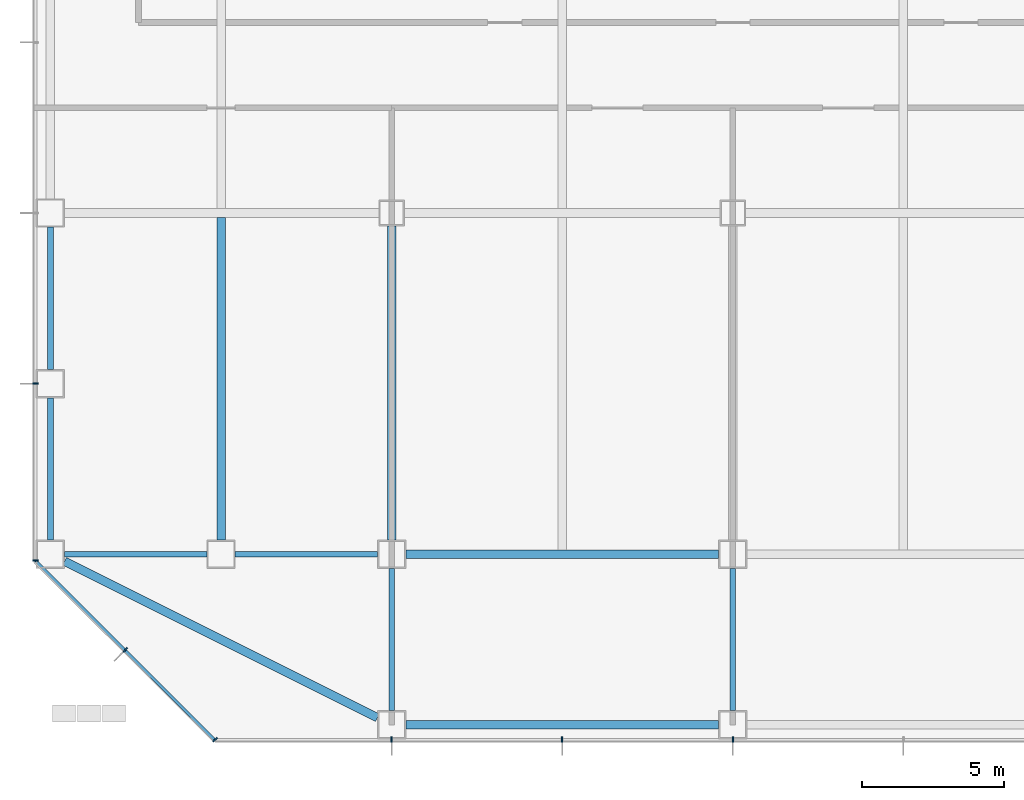
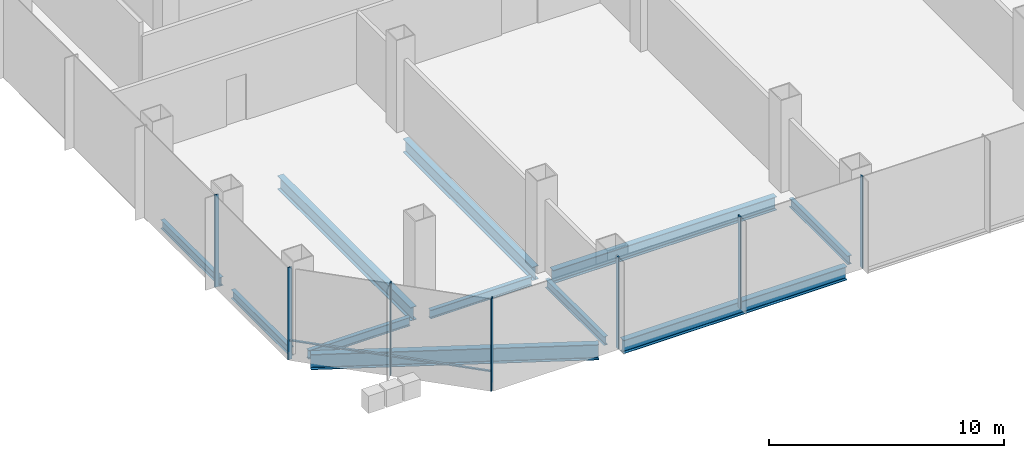
# One storey, part 2 of 33: 11 beams, 8 members, 3 elements without a shape of their own.
"""IFC4 building model written with IfcOpenShell, lengths in metres."""

from ifc_helpers import new_model, si_unit, direction, frame, origin, origin_2d, place, context, subcontext, project, spatial, rectangle, i_section, extrude, material, material_profile, profile_set, type_object, element, aggregate, save


model = new_model("IFC4")

# Units and contexts
model_context = context("Model", 3, precision=1e-05, world=origin(), true_north=direction((0.0, 1.0)))
body_context = subcontext(model_context, "Body", "Model", "MODEL_VIEW")
ifc_project = project(units=[si_unit("LENGTHUNIT", "METRE"), si_unit("AREAUNIT", "SQUARE_METRE"), si_unit("VOLUMEUNIT", "CUBIC_METRE"), si_unit("PLANEANGLEUNIT", "RADIAN"), si_unit("MASSUNIT", "GRAM", prefix="KILO")], contexts=[model_context])

# Site, building, storey
site_placement = place(None, origin())
site = spatial("IfcSite", under=ifc_project, at=site_placement, CompositionType="ELEMENT")
building_placement = place(site_placement, origin())
building = spatial("IfcBuilding", under=site, at=building_placement, Name="Sorahane Residences", CompositionType="ELEMENT")
storey_placement = place(building_placement, frame((0.0, 0.0, 34.800048828125)))
storey = spatial("IfcBuildingStorey", under=building, at=storey_placement, Name="L05", CompositionType="ELEMENT", Elevation=34.800048828125)

# Curtain wall, members
ifc_material_1 = material(Name="Dark low-e glass and black anodised aluminium", Category="aluminium")
curtain_wall_type = type_object("IfcCurtainWallType", Name="Curtain wall CW-3 Podium unitised wall", PredefinedType="NOTDEFINED", material=ifc_material_1)
curtain_wall_1_placement = place(storey_placement, origin())
curtain_wall_1 = element("IfcCurtainWall", 1, at=curtain_wall_1_placement, inside=storey, type_object=curtain_wall_type, Name="CW-3 curtain wall L05 S1", PredefinedType="NOTDEFINED")
ifc_material_2 = material(Name="Black anodised aluminium", Category="aluminium")
ifc_material_profile_1 = material_profile(ifc_material_2, rectangle(XDim=0.199951171875, YDim=0.050048828125, at=origin_2d()), Name="Curtain wall mullion CW-3 black anodised aluminium 50x200")
ifc_profile_set_1 = profile_set([ifc_material_profile_1], Name="Black anodised aluminium")
member_type_1 = type_object("IfcMemberType", Name="Curtain wall mullion CW-3 black anodised aluminium 50x200", PredefinedType="MULLION", material=ifc_profile_set_1)
member_1_placement = place(storey_placement, frame((12.0, -6.52001953125, -0.400146484375), z_axis=(0.0, 0.0, 1.0), x_axis=(0.0, -1.0, 0.0)))
member_1 = element("IfcMember", 2, at=member_1_placement, type_object=member_type_1, Name="CW-3 mullion L05 S1.2", PredefinedType="MULLION", context=body_context, shape_type="SweptSolid", body=[
    extrude(rectangle(XDim=0.199951171875, YDim=0.050048828125, at=origin_2d()), origin(), (0.0, 0.0, 1.0), 4.800048828125),
])
member_2_placement = place(storey_placement, frame((18.0, -6.52001953125, -0.400146484375), z_axis=(0.0, 0.0, 1.0), x_axis=(0.0, -1.0, 0.0)))
member_2 = element("IfcMember", 3, at=member_2_placement, type_object=member_type_1, Name="CW-3 mullion L05 S1.3", PredefinedType="MULLION", context=body_context, shape_type="SweptSolid", body=[
    extrude(rectangle(XDim=0.199951171875, YDim=0.050048828125, at=origin_2d()), origin(), (0.0, 0.0, 1.0), 4.800048828125),
])
member_3_placement = place(storey_placement, frame((24.0, -6.52001953125, -0.400146484375), z_axis=(0.0, 0.0, 1.0), x_axis=(0.0, -1.0, 0.0)))
member_3 = element("IfcMember", 4, at=member_3_placement, type_object=member_type_1, Name="CW-3 mullion L05 S1.4", PredefinedType="MULLION", context=body_context, shape_type="SweptSolid", body=[
    extrude(rectangle(XDim=0.199951171875, YDim=0.050048828125, at=origin_2d()), origin(), (0.0, 0.0, 1.0), 4.800048828125),
])
aggregate(curtain_wall_1, [member_1, member_2, member_3])

curtain_wall_2_placement = place(storey_placement, origin())
curtain_wall_2 = element("IfcCurtainWall", 5, at=curtain_wall_2_placement, inside=storey, type_object=curtain_wall_type, Name="CW-3 curtain wall L05 W1", PredefinedType="NOTDEFINED")
member_4_placement = place(storey_placement, frame((-0.52001953125, 6.0, -0.400146484375), z_axis=(0.0, 0.0, 1.0), x_axis=(-1.0, 0.0, 0.0)))
member_4 = element("IfcMember", 6, at=member_4_placement, type_object=member_type_1, Name="CW-3 mullion L05 W1.8", PredefinedType="MULLION", context=body_context, shape_type="SweptSolid", body=[
    extrude(rectangle(XDim=0.199951171875, YDim=0.050048828125, at=origin_2d()), origin(), (0.0, 0.0, 1.0), 4.800048828125),
])
member_5_placement = place(storey_placement, frame((-0.52001953125, -0.2236328125, -0.400146484375), z_axis=(0.0, 0.0, 1.0), x_axis=(-1.0, 0.0, 0.0)))
member_5 = element("IfcMember", 7, at=member_5_placement, type_object=member_type_1, Name="CW-3 mullion L05 W1.9", PredefinedType="MULLION", context=body_context, shape_type="SweptSolid", body=[
    extrude(rectangle(XDim=0.199951171875, YDim=0.050048828125, at=origin_2d()), origin(), (0.0, 0.0, 1.0), 4.800048828125),
])
aggregate(curtain_wall_2, [member_4, member_5])

curtain_wall_3_placement = place(storey_placement, origin())
curtain_wall_3 = element("IfcCurtainWall", 8, at=curtain_wall_3_placement, inside=storey, type_object=curtain_wall_type, Name="CW-3 curtain wall L05 SW1", PredefinedType="NOTDEFINED")
member_6_placement = place(storey_placement, frame((2.63232421875, -3.36767578125, -0.400146484375), z_axis=(0.0, 0.0, 1.0), x_axis=(-0.707106781187, -0.707106781187, 0.0)))
member_6 = element("IfcMember", 9, at=member_6_placement, type_object=member_type_1, Name="CW-3 mullion L05 SW1.2", PredefinedType="MULLION", context=body_context, shape_type="SweptSolid", body=[
    extrude(rectangle(XDim=0.199951171875, YDim=0.050048828125, at=origin_2d()), origin(), (0.0, 0.0, 1.0), 4.800048828125),
])
member_7_placement = place(storey_placement, frame((5.790283203125, -6.525634765625, -0.400146484375), z_axis=(0.0, 0.0, 1.0), x_axis=(-0.707106781187, -0.707106781187, 0.0)))
member_7 = element("IfcMember", 10, at=member_7_placement, type_object=member_type_1, Name="CW-3 mullion L05 SW1.3", PredefinedType="MULLION", context=body_context, shape_type="SweptSolid", body=[
    extrude(rectangle(XDim=0.199951171875, YDim=0.050048828125, at=origin_2d()), origin(), (0.0, 0.0, 1.0), 4.800048828125),
])
ifc_material_3 = material(Name="Black anodised aluminium", Category="aluminium")
ifc_material_profile_2 = material_profile(ifc_material_3, rectangle(XDim=0.10009765625, YDim=0.06005859375, at=origin_2d()), Name="Curtain wall transom CW-3 black anodised aluminium 60x100")
ifc_profile_set_2 = profile_set([ifc_material_profile_2], Name="Black anodised aluminium")
member_type_2 = type_object("IfcMemberType", Name="Curtain wall transom CW-3 black anodised aluminium 60x100", PredefinedType="USERDEFINED", material=ifc_profile_set_2)
member_8_placement = place(storey_placement, frame((-0.51513671875, -0.234375, 0.599853515625), z_axis=(0.707106781187, -0.707106781187, 0.0), x_axis=(0.707106781187, 0.707106781187, 0.0)))
member_8 = element("IfcMember", 11, at=member_8_placement, type_object=member_type_2, Name="CW-3 transom L05 SW1", ObjectType="TRANSOM", PredefinedType="USERDEFINED", context=body_context, shape_type="SweptSolid", body=[
    extrude(rectangle(XDim=0.10009765625, YDim=0.06005859375, at=origin_2d()), origin(), (0.0, 0.0, 1.0), 8.88232421875),
])
aggregate(curtain_wall_3, [member_6, member_7, member_8])

# Beams
ifc_material_4 = material(Name="Steel Q355B", Category="steel")
ifc_material_profile_3 = material_profile(ifc_material_4, i_section(OverallWidth=0.199951171875, OverallDepth=0.449951171875, WebThickness=0.009033203125, FlangeThickness=0.013916015625, FilletRadius=0.02001953125, at=origin_2d()), Name="HN 450x200x9x14")
ifc_profile_set_3 = profile_set([ifc_material_profile_3], Name="Steel Q355B")
beam_type_1 = type_object("IfcBeamType", Name="Steel floor beam HN 450x200x9x14 Q355B", PredefinedType="BEAM", material=ifc_profile_set_3)
for number, where, z_axis, x_axis, name in (
    (12, (0.5, 0.0, -0.625), (1.0, 0.0, 0.0), (0.0, 1.0, 0.0), "Beam L05 000"),
    (13, (6.5, 0.0, -0.625), (1.0, 0.0, 0.0), (0.0, 1.0, 0.0), "Beam L05 001"),
    (14, (0.0, 0.5, -0.625), (0.0, 1.0, 0.0), (-1.0, 0.0, 0.0), "Beam L05 024"),
    (15, (0.0, 6.5, -0.625), (0.0, 1.0, 0.0), (-1.0, 0.0, 0.0), "Beam L05 025"),
    (16, (12.0, -5.5, -0.625), (0.0, 1.0, 0.0), (-1.0, 0.0, 0.0), "Beam L05 035"),
    (17, (24.0, -5.5, -0.625), (0.0, 1.0, 0.0), (-1.0, 0.0, 0.0), "Beam L05 044"),
):
    element("IfcBeam", number, at=place(storey_placement, frame(where, z_axis=z_axis, x_axis=x_axis)), inside=storey, type_object=beam_type_1, Name=name, PredefinedType="BEAM", context=body_context, shape_type="SweptSolid", body=[
        extrude(i_section(OverallWidth=0.199951171875, OverallDepth=0.449951171875, WebThickness=0.009033203125, FlangeThickness=0.013916015625, FilletRadius=0.02001953125, at=origin_2d()), origin(), (0.0, 0.0, 1.0), 5.0),
    ])
ifc_material_5 = material(Name="Steel Q355B", Category="steel")
ifc_material_profile_4 = material_profile(ifc_material_5, i_section(OverallWidth=0.300048828125, OverallDepth=0.699951171875, WebThickness=0.012939453125, FlangeThickness=0.02392578125, FilletRadius=0.028076171875, at=origin_2d()), Name="HN 700x300x13x24")
ifc_profile_set_4 = profile_set([ifc_material_profile_4], Name="Steel Q355B")
beam_type_2 = type_object("IfcBeamType", Name="Steel floor beam HN 700x300x13x24 Q355B", PredefinedType="BEAM", material=ifc_profile_set_4)
beam_1_placement = place(storey_placement, frame((12.5, 0.0, -0.75), z_axis=(1.0, 0.0, 0.0), x_axis=(0.0, 1.0, 0.0)))
element("IfcBeam", 18, at=beam_1_placement, inside=storey, type_object=beam_type_2, Name="Beam L05 002", PredefinedType="BEAM", context=body_context, shape_type="SweptSolid", body=[
    extrude(i_section(OverallWidth=0.300048828125, OverallDepth=0.699951171875, WebThickness=0.012939453125, FlangeThickness=0.02392578125, FilletRadius=0.028076171875, at=origin_2d()), origin(), (0.0, 0.0, 1.0), 11.0),
])
beam_2_placement = place(storey_placement, frame((6.0, 0.5, -0.75), z_axis=(0.0, 1.0, 0.0), x_axis=(-1.0, 0.0, 0.0)))
element("IfcBeam", 19, at=beam_2_placement, inside=storey, type_object=beam_type_2, Name="Beam L05 029", PredefinedType="BEAM", context=body_context, shape_type="SweptSolid", body=[
    extrude(i_section(OverallWidth=0.300048828125, OverallDepth=0.699951171875, WebThickness=0.012939453125, FlangeThickness=0.02392578125, FilletRadius=0.028076171875, at=origin_2d()), origin(), (0.0, 0.0, 1.0), 11.35009765625),
])
beam_3_placement = place(storey_placement, frame((12.0, 0.5, -0.75), z_axis=(0.0, 1.0, 0.0), x_axis=(-1.0, 0.0, 0.0)))
element("IfcBeam", 20, at=beam_3_placement, inside=storey, type_object=beam_type_2, Name="Beam L05 036", PredefinedType="BEAM", context=body_context, shape_type="SweptSolid", body=[
    extrude(i_section(OverallWidth=0.300048828125, OverallDepth=0.699951171875, WebThickness=0.012939453125, FlangeThickness=0.02392578125, FilletRadius=0.028076171875, at=origin_2d()), origin(), (0.0, 0.0, 1.0), 11.050048828125),
])
beam_4_placement = place(storey_placement, frame((12.5, -6.0, -0.75), z_axis=(1.0, 0.0, 0.0), x_axis=(0.0, 1.0, 0.0)))
element("IfcBeam", 21, at=beam_4_placement, inside=storey, type_object=beam_type_2, Name="Beam L05 079", PredefinedType="BEAM", context=body_context, shape_type="SweptSolid", body=[
    extrude(i_section(OverallWidth=0.300048828125, OverallDepth=0.699951171875, WebThickness=0.012939453125, FlangeThickness=0.02392578125, FilletRadius=0.028076171875, at=origin_2d()), origin(), (0.0, 0.0, 1.0), 11.0),
])
ifc_material_6 = material(Name="Steel Q355B", Category="steel")
ifc_material_profile_5 = material_profile(ifc_material_6, i_section(OverallWidth=0.300048828125, OverallDepth=0.800048828125, WebThickness=0.013916015625, FlangeThickness=0.02587890625, FilletRadius=0.028076171875, at=origin_2d()), Name="HN 800x300x14x26")
ifc_profile_set_5 = profile_set([ifc_material_profile_5], Name="Steel Q355B")
beam_type_3 = type_object("IfcBeamType", Name="Steel floor beam HN 800x300x14x26 Q355B", PredefinedType="BEAM", material=ifc_profile_set_5)
beam_5_placement = place(storey_placement, frame((0.5, -0.25, -0.800048828125), z_axis=(0.894427191, -0.4472135955, 0.0), x_axis=(0.4472135955, 0.894427191, 0.0)))
element("IfcBeam", 22, at=beam_5_placement, inside=storey, type_object=beam_type_3, Name="Beam L05 082", PredefinedType="BEAM", context=body_context, shape_type="SweptSolid", body=[
    extrude(i_section(OverallWidth=0.300048828125, OverallDepth=0.800048828125, WebThickness=0.013916015625, FlangeThickness=0.02587890625, FilletRadius=0.028076171875, at=origin_2d()), origin(), (0.0, 0.0, 1.0), 12.29833984375),
])

save(model, "model.ifc")
